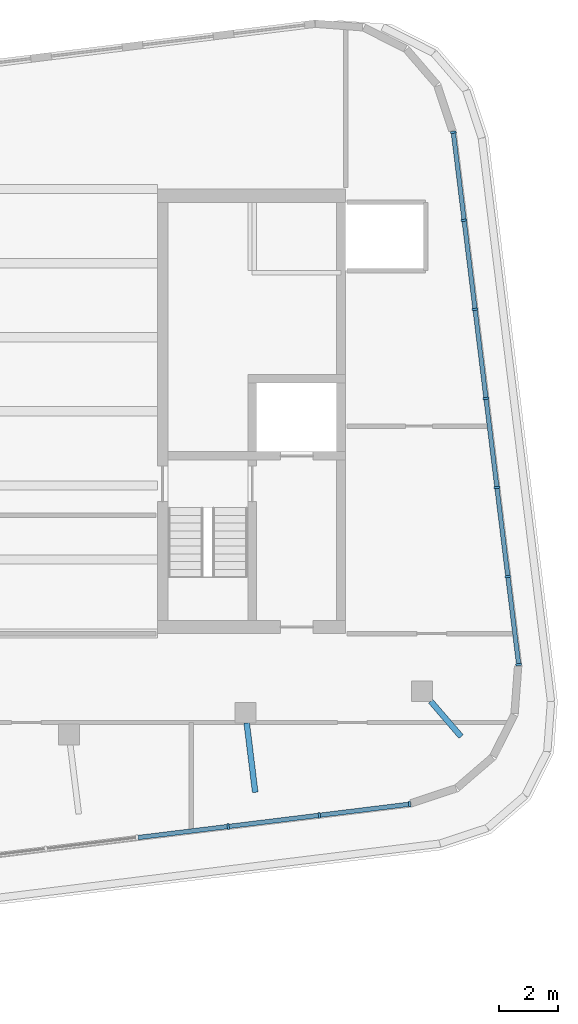
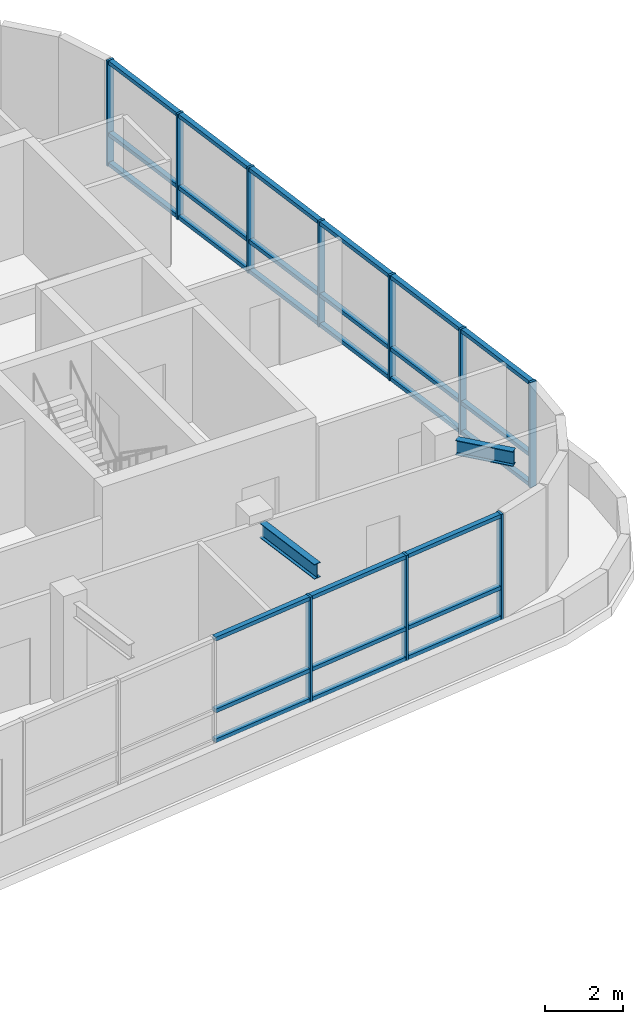
# One storey, part 3 of 8: 37 members, 2 beams, 2 elements without a shape of their own.
"""IFC4 building model written with IfcOpenShell, lengths in metres."""

from ifc_helpers import new_model, si_unit, direction, frame, origin, origin_2d, place, context, subcontext, project, spatial, rectangle, i_section, extrude, material, layer, layer_set, material_profile, profile_set, type_object, element, aggregate, save


model = new_model("IFC4")

# Units and contexts
model_context = context("Model", 3, precision=1e-05, world=origin(), true_north=direction((0.0, 1.0)))
body_context = subcontext(model_context, "Body", "Model", "MODEL_VIEW")
ifc_project = project(units=[si_unit("LENGTHUNIT", "METRE"), si_unit("AREAUNIT", "SQUARE_METRE"), si_unit("VOLUMEUNIT", "CUBIC_METRE"), si_unit("PLANEANGLEUNIT", "RADIAN"), si_unit("MASSUNIT", "GRAM", prefix="KILO")], contexts=[model_context])

# Site, building, storey
site_placement = place(None, origin())
site = spatial("IfcSite", under=ifc_project, at=site_placement, CompositionType="ELEMENT")
building_placement = place(site_placement, origin())
building = spatial("IfcBuilding", under=site, at=building_placement, Name="Torana Hotel and Residences", CompositionType="ELEMENT")
storey_placement = place(building_placement, frame((0.0, 0.0, 346.60009765625)))
storey = spatial("IfcBuildingStorey", under=building, at=storey_placement, Name="C1", CompositionType="ELEMENT", Elevation=346.60009765625)

# Beams
ifc_material_1 = material(Name="Steel S355", Category="steel")
ifc_material_profile_1 = material_profile(ifc_material_1, i_section(OverallWidth=0.19287109375, OverallDepth=0.46728515625, WebThickness=0.011474609375, FlangeThickness=0.01953125, FilletRadius=0.01025390625, at=origin_2d()), Name="457x191x98 UB")
ifc_profile_set_1 = profile_set([ifc_material_profile_1], Name="Steel S355")
beam_type = type_object("IfcBeamType", Name="BALCONY CANTILEVER BEAM 457x191x98 UB", PredefinedType="BEAM", material=ifc_profile_set_1)
beam_1_placement = place(storey_placement, frame((13.0126953125, -18.01318359375, 3.06640625), z_axis=(0.121844822117, -0.992549162169, 0.0), x_axis=(0.992549162169, 0.121844822117, 0.0)))
element("IfcBeam", 1, at=beam_1_placement, inside=storey, type_object=beam_type, Name="Balcony cantilever beam", PredefinedType="BEAM", context=body_context, shape_type="SweptSolid", body=[
    extrude(i_section(OverallWidth=0.19287109375, OverallDepth=0.46728515625, WebThickness=0.011474609375, FlangeThickness=0.01953125, FilletRadius=0.01025390625, at=origin_2d()), origin(), (0.0, 0.0, 1.0), 2.3603515625),
])
beam_2_placement = place(storey_placement, frame((19.22119140625, -17.284423828125, 3.06640625), z_axis=(0.652709025629, -0.757608690462, 0.0), x_axis=(0.757608690462, 0.652709025629, 0.0)))
element("IfcBeam", 2, at=beam_2_placement, inside=storey, type_object=beam_type, Name="Balcony cantilever beam", PredefinedType="BEAM", context=body_context, shape_type="SweptSolid", body=[
    extrude(i_section(OverallWidth=0.19287109375, OverallDepth=0.46728515625, WebThickness=0.011474609375, FlangeThickness=0.01953125, FilletRadius=0.01025390625, at=origin_2d()), origin(), (0.0, 0.0, 1.0), 1.571044921875),
])

# Curtain wall, members
ifc_material_2 = material(Name="Dark anodised aluminium", Category="aluminium")
ifc_layer = layer(ifc_material_2, 0.199951171875)
ifc_layer_set = layer_set([ifc_layer], Name="CW4 CROWN TERRACE GLAZING CURTAIN WALL")
curtain_wall_type = type_object("IfcCurtainWallType", Name="CW4 CROWN TERRACE GLAZING CURTAIN WALL", PredefinedType="NOTDEFINED", material=ifc_layer_set)
curtain_wall_1_placement = place(storey_placement, origin())
curtain_wall_1 = element("IfcCurtainWall", 3, at=curtain_wall_1_placement, inside=storey, type_object=curtain_wall_type, Name="Curtain wall CW4 C1 e0.14-2", PredefinedType="NOTDEFINED")
ifc_material_3 = material(Name="Dark anodised aluminium", Category="aluminium")
ifc_material_profile_2 = material_profile(ifc_material_3, rectangle(XDim=0.199951171875, YDim=0.070068359375, at=origin_2d()), Name="CW4 MULLION 70x200")
ifc_profile_set_2 = profile_set([ifc_material_profile_2], Name="Dark anodised aluminium")
member_type_1 = type_object("IfcMemberType", Name="CW4 MULLION 70x200", PredefinedType="MULLION", material=ifc_profile_set_2)
member_1_placement = place(storey_placement, frame((12.38818359375, -21.50830078125, 0.0), z_axis=(0.0, 0.0, 1.0), x_axis=(-0.121865323504, 0.992546645215, 0.0)))
member_1 = element("IfcMember", 4, at=member_1_placement, type_object=member_type_1, Name="CW4 mullion 4", PredefinedType="MULLION", context=body_context, shape_type="SweptSolid", body=[
    extrude(rectangle(XDim=0.199951171875, YDim=0.070068359375, at=origin_2d()), origin(), (0.0, 0.0, 1.0), 3.31982421875),
])
member_2_placement = place(storey_placement, frame((15.46533203125, -21.130615234375, 0.0), z_axis=(0.0, 0.0, 1.0), x_axis=(-0.121865323504, 0.992546645215, 0.0)))
member_2 = element("IfcMember", 5, at=member_2_placement, type_object=member_type_1, Name="CW4 mullion 5", PredefinedType="MULLION", context=body_context, shape_type="SweptSolid", body=[
    extrude(rectangle(XDim=0.199951171875, YDim=0.070068359375, at=origin_2d()), origin(), (0.0, 0.0, 1.0), 3.31982421875),
])
member_3_placement = place(storey_placement, frame((18.5078125, -20.757080078125, 0.0), z_axis=(0.0, 0.0, 1.0), x_axis=(-0.121865323504, 0.992546645215, 0.0)))
member_3 = element("IfcMember", 6, at=member_3_placement, type_object=member_type_1, Name="CW4 mullion 6", PredefinedType="MULLION", context=body_context, shape_type="SweptSolid", body=[
    extrude(rectangle(XDim=0.199951171875, YDim=0.070068359375, at=origin_2d()), origin(), (0.0, 0.0, 1.0), 3.31982421875),
])

curtain_wall_2_placement = place(storey_placement, origin())
curtain_wall_2 = element("IfcCurtainWall", 7, at=curtain_wall_2_placement, inside=storey, type_object=curtain_wall_type, Name="Curtain wall CW4 C1 e0.19", PredefinedType="NOTDEFINED")
member_4_placement = place(storey_placement, frame((22.189453125, -16.04443359375, 0.0), z_axis=(0.0, 0.0, 1.0), x_axis=(-0.992546270911, -0.121868372024, 0.0)))
member_4 = element("IfcMember", 8, at=member_4_placement, type_object=member_type_1, Name="CW4 mullion 1", PredefinedType="MULLION", context=body_context, shape_type="SweptSolid", body=[
    extrude(rectangle(XDim=0.199951171875, YDim=0.070068359375, at=origin_2d()), origin(), (0.0, 0.0, 1.0), 3.31982421875),
])
member_5_placement = place(storey_placement, frame((21.824951171875, -13.07421875, 0.0), z_axis=(0.0, 0.0, 1.0), x_axis=(-0.992546270911, -0.121868372024, 0.0)))
member_5 = element("IfcMember", 9, at=member_5_placement, type_object=member_type_1, Name="CW4 mullion 2", PredefinedType="MULLION", context=body_context, shape_type="SweptSolid", body=[
    extrude(rectangle(XDim=0.199951171875, YDim=0.070068359375, at=origin_2d()), origin(), (0.0, 0.0, 1.0), 3.31982421875),
])
member_6_placement = place(storey_placement, frame((21.455810546875, -10.069091796875, 0.0), z_axis=(0.0, 0.0, 1.0), x_axis=(-0.992546270911, -0.121868372024, 0.0)))
member_6 = element("IfcMember", 10, at=member_6_placement, type_object=member_type_1, Name="CW4 mullion 3", PredefinedType="MULLION", context=body_context, shape_type="SweptSolid", body=[
    extrude(rectangle(XDim=0.199951171875, YDim=0.070068359375, at=origin_2d()), origin(), (0.0, 0.0, 1.0), 3.31982421875),
])
member_7_placement = place(storey_placement, frame((21.0869140625, -7.064208984375, 0.0), z_axis=(0.0, 0.0, 1.0), x_axis=(-0.992546270911, -0.121868372024, 0.0)))
member_7 = element("IfcMember", 11, at=member_7_placement, type_object=member_type_1, Name="CW4 mullion 4", PredefinedType="MULLION", context=body_context, shape_type="SweptSolid", body=[
    extrude(rectangle(XDim=0.199951171875, YDim=0.070068359375, at=origin_2d()), origin(), (0.0, 0.0, 1.0), 3.31982421875),
])
member_8_placement = place(storey_placement, frame((20.718017578125, -4.05908203125, 0.0), z_axis=(0.0, 0.0, 1.0), x_axis=(-0.992546270911, -0.121868372024, 0.0)))
member_8 = element("IfcMember", 12, at=member_8_placement, type_object=member_type_1, Name="CW4 mullion 5", PredefinedType="MULLION", context=body_context, shape_type="SweptSolid", body=[
    extrude(rectangle(XDim=0.199951171875, YDim=0.070068359375, at=origin_2d()), origin(), (0.0, 0.0, 1.0), 3.31982421875),
])
member_9_placement = place(storey_placement, frame((20.348876953125, -1.05419921875, 0.0), z_axis=(0.0, 0.0, 1.0), x_axis=(-0.992546270911, -0.121868372024, 0.0)))
member_9 = element("IfcMember", 13, at=member_9_placement, type_object=member_type_1, Name="CW4 mullion 6", PredefinedType="MULLION", context=body_context, shape_type="SweptSolid", body=[
    extrude(rectangle(XDim=0.199951171875, YDim=0.070068359375, at=origin_2d()), origin(), (0.0, 0.0, 1.0), 3.31982421875),
])
member_10_placement = place(storey_placement, frame((19.984375, 1.916259765625, 0.0), z_axis=(0.0, 0.0, 1.0), x_axis=(-0.992546270911, -0.121868372024, 0.0)))
member_10 = element("IfcMember", 14, at=member_10_placement, type_object=member_type_1, Name="CW4 mullion 7", PredefinedType="MULLION", context=body_context, shape_type="SweptSolid", body=[
    extrude(rectangle(XDim=0.199951171875, YDim=0.070068359375, at=origin_2d()), origin(), (0.0, 0.0, 1.0), 3.31982421875),
])

# Member
ifc_material_4 = material(Name="Dark anodised aluminium", Category="aluminium")
ifc_material_profile_3 = material_profile(ifc_material_4, rectangle(XDim=0.14990234375, YDim=0.1201171875, at=origin_2d()), Name="CW4 TRANSOM 150x120")
ifc_profile_set_3 = profile_set([ifc_material_profile_3], Name="Dark anodised aluminium")
member_type_2 = type_object("IfcMemberType", Name="CW4 TRANSOM 150x120", PredefinedType="USERDEFINED", material=ifc_profile_set_3)
member_11_placement = place(storey_placement, frame((9.345703125, -21.8818359375, 0.059814453125), z_axis=(0.992553028088, 0.121813326174, 0.0), x_axis=(-0.121813326174, 0.992553028088, 0.0)))
member_11 = element("IfcMember", 15, at=member_11_placement, type_object=member_type_2, Name="CW4 transom 3.1", ObjectType="TRANSOM", PredefinedType="USERDEFINED", context=body_context, shape_type="SweptSolid", body=[
    extrude(rectangle(XDim=0.14990234375, YDim=0.1201171875, at=origin_2d()), origin(), (0.0, 0.0, 1.0), 3.0302734375),
])

member_12_placement = place(storey_placement, frame((9.345703125, -21.8818359375, 1.0), z_axis=(0.992553028088, 0.121813326174, 0.0), x_axis=(-0.121813326174, 0.992553028088, 0.0)))
member_12 = element("IfcMember", 16, at=member_12_placement, type_object=member_type_2, Name="CW4 transom 3.2", ObjectType="TRANSOM", PredefinedType="USERDEFINED", context=body_context, shape_type="SweptSolid", body=[
    extrude(rectangle(XDim=0.14990234375, YDim=0.1201171875, at=origin_2d()), origin(), (0.0, 0.0, 1.0), 3.0302734375),
])

member_13_placement = place(storey_placement, frame((9.345703125, -21.8818359375, 3.260009765625), z_axis=(0.992553028088, 0.121813326174, 0.0), x_axis=(-0.121813326174, 0.992553028088, 0.0)))
member_13 = element("IfcMember", 17, at=member_13_placement, type_object=member_type_2, Name="CW4 transom 3.3", ObjectType="TRANSOM", PredefinedType="USERDEFINED", context=body_context, shape_type="SweptSolid", body=[
    extrude(rectangle(XDim=0.14990234375, YDim=0.1201171875, at=origin_2d()), origin(), (0.0, 0.0, 1.0), 3.0302734375),
])

member_14_placement = place(storey_placement, frame((12.4228515625, -21.504150390625, 0.059814453125), z_axis=(0.99254328428, 0.121892693922, 0.0), x_axis=(-0.121892693922, 0.99254328428, 0.0)))
member_14 = element("IfcMember", 18, at=member_14_placement, type_object=member_type_2, Name="CW4 transom 4.1", ObjectType="TRANSOM", PredefinedType="USERDEFINED", context=body_context, shape_type="SweptSolid", body=[
    extrude(rectangle(XDim=0.14990234375, YDim=0.1201171875, at=origin_2d()), origin(), (0.0, 0.0, 1.0), 3.030517578125),
])

member_15_placement = place(storey_placement, frame((12.4228515625, -21.504150390625, 1.0), z_axis=(0.99254328428, 0.121892693922, 0.0), x_axis=(-0.121892693922, 0.99254328428, 0.0)))
member_15 = element("IfcMember", 19, at=member_15_placement, type_object=member_type_2, Name="CW4 transom 4.2", ObjectType="TRANSOM", PredefinedType="USERDEFINED", context=body_context, shape_type="SweptSolid", body=[
    extrude(rectangle(XDim=0.14990234375, YDim=0.1201171875, at=origin_2d()), origin(), (0.0, 0.0, 1.0), 3.030517578125),
])

member_16_placement = place(storey_placement, frame((12.4228515625, -21.504150390625, 3.260009765625), z_axis=(0.99254328428, 0.121892693922, 0.0), x_axis=(-0.121892693922, 0.99254328428, 0.0)))
member_16 = element("IfcMember", 20, at=member_16_placement, type_object=member_type_2, Name="CW4 transom 4.3", ObjectType="TRANSOM", PredefinedType="USERDEFINED", context=body_context, shape_type="SweptSolid", body=[
    extrude(rectangle(XDim=0.14990234375, YDim=0.1201171875, at=origin_2d()), origin(), (0.0, 0.0, 1.0), 3.030517578125),
])

member_17_placement = place(storey_placement, frame((15.500244140625, -21.126220703125, 0.059814453125), z_axis=(0.992547606819, 0.121857491352, 0.0), x_axis=(-0.121857491352, 0.992547606819, 0.0)))
member_17 = element("IfcMember", 21, at=member_17_placement, type_object=member_type_2, Name="CW4 transom 5.1", ObjectType="TRANSOM", PredefinedType="USERDEFINED", context=body_context, shape_type="SweptSolid", body=[
    extrude(rectangle(XDim=0.14990234375, YDim=0.1201171875, at=origin_2d()), origin(), (0.0, 0.0, 1.0), 2.9951171875),
])

member_18_placement = place(storey_placement, frame((15.500244140625, -21.126220703125, 1.0), z_axis=(0.992547606819, 0.121857491352, 0.0), x_axis=(-0.121857491352, 0.992547606819, 0.0)))
member_18 = element("IfcMember", 22, at=member_18_placement, type_object=member_type_2, Name="CW4 transom 5.2", ObjectType="TRANSOM", PredefinedType="USERDEFINED", context=body_context, shape_type="SweptSolid", body=[
    extrude(rectangle(XDim=0.14990234375, YDim=0.1201171875, at=origin_2d()), origin(), (0.0, 0.0, 1.0), 2.9951171875),
])

member_19_placement = place(storey_placement, frame((15.500244140625, -21.126220703125, 3.260009765625), z_axis=(0.992547606819, 0.121857491352, 0.0), x_axis=(-0.121857491352, 0.992547606819, 0.0)))
member_19 = element("IfcMember", 23, at=member_19_placement, type_object=member_type_2, Name="CW4 transom 5.3", ObjectType="TRANSOM", PredefinedType="USERDEFINED", context=body_context, shape_type="SweptSolid", body=[
    extrude(rectangle(XDim=0.14990234375, YDim=0.1201171875, at=origin_2d()), origin(), (0.0, 0.0, 1.0), 2.9951171875),
])

aggregate(curtain_wall_1, [member_1, member_2, member_3, member_11, member_12, member_13, member_14, member_15, member_16, member_17, member_18, member_19])

member_20_placement = place(storey_placement, frame((22.185302734375, -16.009765625, 0.059814453125), z_axis=(-0.121875420514, 0.992545405447, 0.0), x_axis=(-0.992545405447, -0.121875420514, 0.0)))
member_20 = element("IfcMember", 24, at=member_20_placement, type_object=member_type_2, Name="CW4 transom 1.1", ObjectType="TRANSOM", PredefinedType="USERDEFINED", context=body_context, shape_type="SweptSolid", body=[
    extrude(rectangle(XDim=0.14990234375, YDim=0.1201171875, at=origin_2d()), origin(), (0.0, 0.0, 1.0), 2.922607421875),
])

member_21_placement = place(storey_placement, frame((22.185302734375, -16.009765625, 1.0), z_axis=(-0.121875420514, 0.992545405447, 0.0), x_axis=(-0.992545405447, -0.121875420514, 0.0)))
member_21 = element("IfcMember", 25, at=member_21_placement, type_object=member_type_2, Name="CW4 transom 1.2", ObjectType="TRANSOM", PredefinedType="USERDEFINED", context=body_context, shape_type="SweptSolid", body=[
    extrude(rectangle(XDim=0.14990234375, YDim=0.1201171875, at=origin_2d()), origin(), (0.0, 0.0, 1.0), 2.922607421875),
])

member_22_placement = place(storey_placement, frame((22.185302734375, -16.009765625, 3.260009765625), z_axis=(-0.121875420514, 0.992545405447, 0.0), x_axis=(-0.992545405447, -0.121875420514, 0.0)))
member_22 = element("IfcMember", 26, at=member_22_placement, type_object=member_type_2, Name="CW4 transom 1.3", ObjectType="TRANSOM", PredefinedType="USERDEFINED", context=body_context, shape_type="SweptSolid", body=[
    extrude(rectangle(XDim=0.14990234375, YDim=0.1201171875, at=origin_2d()), origin(), (0.0, 0.0, 1.0), 2.922607421875),
])

member_23_placement = place(storey_placement, frame((21.820556640625, -13.03955078125, 0.059814453125), z_axis=(-0.121839940769, 0.992549761389, 0.0), x_axis=(-0.992549761389, -0.121839940769, 0.0)))
member_23 = element("IfcMember", 27, at=member_23_placement, type_object=member_type_2, Name="CW4 transom 2.1", ObjectType="TRANSOM", PredefinedType="USERDEFINED", context=body_context, shape_type="SweptSolid", body=[
    extrude(rectangle(XDim=0.14990234375, YDim=0.1201171875, at=origin_2d()), origin(), (0.0, 0.0, 1.0), 2.95751953125),
])

member_24_placement = place(storey_placement, frame((21.820556640625, -13.03955078125, 1.0), z_axis=(-0.121839940769, 0.992549761389, 0.0), x_axis=(-0.992549761389, -0.121839940769, 0.0)))
member_24 = element("IfcMember", 28, at=member_24_placement, type_object=member_type_2, Name="CW4 transom 2.2", ObjectType="TRANSOM", PredefinedType="USERDEFINED", context=body_context, shape_type="SweptSolid", body=[
    extrude(rectangle(XDim=0.14990234375, YDim=0.1201171875, at=origin_2d()), origin(), (0.0, 0.0, 1.0), 2.95751953125),
])

member_25_placement = place(storey_placement, frame((21.820556640625, -13.03955078125, 3.260009765625), z_axis=(-0.121839940769, 0.992549761389, 0.0), x_axis=(-0.992549761389, -0.121839940769, 0.0)))
member_25 = element("IfcMember", 29, at=member_25_placement, type_object=member_type_2, Name="CW4 transom 2.3", ObjectType="TRANSOM", PredefinedType="USERDEFINED", context=body_context, shape_type="SweptSolid", body=[
    extrude(rectangle(XDim=0.14990234375, YDim=0.1201171875, at=origin_2d()), origin(), (0.0, 0.0, 1.0), 2.95751953125),
])

member_26_placement = place(storey_placement, frame((21.45166015625, -10.034423828125, 0.059814453125), z_axis=(-0.121921261514, 0.992539775521, 0.0), x_axis=(-0.992539775521, -0.121921261514, 0.0)))
member_26 = element("IfcMember", 30, at=member_26_placement, type_object=member_type_2, Name="CW4 transom 3.1", ObjectType="TRANSOM", PredefinedType="USERDEFINED", context=body_context, shape_type="SweptSolid", body=[
    extrude(rectangle(XDim=0.14990234375, YDim=0.1201171875, at=origin_2d()), origin(), (0.0, 0.0, 1.0), 2.95751953125),
])

member_27_placement = place(storey_placement, frame((21.45166015625, -10.034423828125, 1.0), z_axis=(-0.121921261514, 0.992539775521, 0.0), x_axis=(-0.992539775521, -0.121921261514, 0.0)))
member_27 = element("IfcMember", 31, at=member_27_placement, type_object=member_type_2, Name="CW4 transom 3.2", ObjectType="TRANSOM", PredefinedType="USERDEFINED", context=body_context, shape_type="SweptSolid", body=[
    extrude(rectangle(XDim=0.14990234375, YDim=0.1201171875, at=origin_2d()), origin(), (0.0, 0.0, 1.0), 2.95751953125),
])

member_28_placement = place(storey_placement, frame((21.45166015625, -10.034423828125, 3.260009765625), z_axis=(-0.121921261514, 0.992539775521, 0.0), x_axis=(-0.992539775521, -0.121921261514, 0.0)))
member_28 = element("IfcMember", 32, at=member_28_placement, type_object=member_type_2, Name="CW4 transom 3.3", ObjectType="TRANSOM", PredefinedType="USERDEFINED", context=body_context, shape_type="SweptSolid", body=[
    extrude(rectangle(XDim=0.14990234375, YDim=0.1201171875, at=origin_2d()), origin(), (0.0, 0.0, 1.0), 2.95751953125),
])

member_29_placement = place(storey_placement, frame((21.08251953125, -7.029296875, 0.059814453125), z_axis=(-0.121849924218, 0.992548535825, 0.0), x_axis=(-0.992548535825, -0.121849924218, 0.0)))
member_29 = element("IfcMember", 33, at=member_29_placement, type_object=member_type_2, Name="CW4 transom 4.1", ObjectType="TRANSOM", PredefinedType="USERDEFINED", context=body_context, shape_type="SweptSolid", body=[
    extrude(rectangle(XDim=0.14990234375, YDim=0.1201171875, at=origin_2d()), origin(), (0.0, 0.0, 1.0), 2.957275390625),
])

member_30_placement = place(storey_placement, frame((21.08251953125, -7.029296875, 1.0), z_axis=(-0.121849924218, 0.992548535825, 0.0), x_axis=(-0.992548535825, -0.121849924218, 0.0)))
member_30 = element("IfcMember", 34, at=member_30_placement, type_object=member_type_2, Name="CW4 transom 4.2", ObjectType="TRANSOM", PredefinedType="USERDEFINED", context=body_context, shape_type="SweptSolid", body=[
    extrude(rectangle(XDim=0.14990234375, YDim=0.1201171875, at=origin_2d()), origin(), (0.0, 0.0, 1.0), 2.957275390625),
])

member_31_placement = place(storey_placement, frame((21.08251953125, -7.029296875, 3.260009765625), z_axis=(-0.121849924218, 0.992548535825, 0.0), x_axis=(-0.992548535825, -0.121849924218, 0.0)))
member_31 = element("IfcMember", 35, at=member_31_placement, type_object=member_type_2, Name="CW4 transom 4.3", ObjectType="TRANSOM", PredefinedType="USERDEFINED", context=body_context, shape_type="SweptSolid", body=[
    extrude(rectangle(XDim=0.14990234375, YDim=0.1201171875, at=origin_2d()), origin(), (0.0, 0.0, 1.0), 2.957275390625),
])

member_32_placement = place(storey_placement, frame((20.713623046875, -4.0244140625, 0.059814453125), z_axis=(-0.121839940769, 0.992549761389, 0.0), x_axis=(-0.992549761389, -0.121839940769, 0.0)))
member_32 = element("IfcMember", 36, at=member_32_placement, type_object=member_type_2, Name="CW4 transom 5.1", ObjectType="TRANSOM", PredefinedType="USERDEFINED", context=body_context, shape_type="SweptSolid", body=[
    extrude(rectangle(XDim=0.14990234375, YDim=0.1201171875, at=origin_2d()), origin(), (0.0, 0.0, 1.0), 2.95751953125),
])

member_33_placement = place(storey_placement, frame((20.713623046875, -4.0244140625, 1.0), z_axis=(-0.121839940769, 0.992549761389, 0.0), x_axis=(-0.992549761389, -0.121839940769, 0.0)))
member_33 = element("IfcMember", 37, at=member_33_placement, type_object=member_type_2, Name="CW4 transom 5.2", ObjectType="TRANSOM", PredefinedType="USERDEFINED", context=body_context, shape_type="SweptSolid", body=[
    extrude(rectangle(XDim=0.14990234375, YDim=0.1201171875, at=origin_2d()), origin(), (0.0, 0.0, 1.0), 2.95751953125),
])

member_34_placement = place(storey_placement, frame((20.713623046875, -4.0244140625, 3.260009765625), z_axis=(-0.121839940769, 0.992549761389, 0.0), x_axis=(-0.992549761389, -0.121839940769, 0.0)))
member_34 = element("IfcMember", 38, at=member_34_placement, type_object=member_type_2, Name="CW4 transom 5.3", ObjectType="TRANSOM", PredefinedType="USERDEFINED", context=body_context, shape_type="SweptSolid", body=[
    extrude(rectangle(XDim=0.14990234375, YDim=0.1201171875, at=origin_2d()), origin(), (0.0, 0.0, 1.0), 2.95751953125),
])

member_35_placement = place(storey_placement, frame((20.3447265625, -1.019287109375, 0.059814453125), z_axis=(-0.121885526137, 0.992544164518, 0.0), x_axis=(-0.992544164518, -0.121885526137, 0.0)))
member_35 = element("IfcMember", 39, at=member_35_placement, type_object=member_type_2, Name="CW4 transom 6.1", ObjectType="TRANSOM", PredefinedType="USERDEFINED", context=body_context, shape_type="SweptSolid", body=[
    extrude(rectangle(XDim=0.14990234375, YDim=0.1201171875, at=origin_2d()), origin(), (0.0, 0.0, 1.0), 2.92236328125),
])

member_36_placement = place(storey_placement, frame((20.3447265625, -1.019287109375, 1.0), z_axis=(-0.121885526137, 0.992544164518, 0.0), x_axis=(-0.992544164518, -0.121885526137, 0.0)))
member_36 = element("IfcMember", 40, at=member_36_placement, type_object=member_type_2, Name="CW4 transom 6.2", ObjectType="TRANSOM", PredefinedType="USERDEFINED", context=body_context, shape_type="SweptSolid", body=[
    extrude(rectangle(XDim=0.14990234375, YDim=0.1201171875, at=origin_2d()), origin(), (0.0, 0.0, 1.0), 2.92236328125),
])

member_37_placement = place(storey_placement, frame((20.3447265625, -1.019287109375, 3.260009765625), z_axis=(-0.121885526137, 0.992544164518, 0.0), x_axis=(-0.992544164518, -0.121885526137, 0.0)))
member_37 = element("IfcMember", 41, at=member_37_placement, type_object=member_type_2, Name="CW4 transom 6.3", ObjectType="TRANSOM", PredefinedType="USERDEFINED", context=body_context, shape_type="SweptSolid", body=[
    extrude(rectangle(XDim=0.14990234375, YDim=0.1201171875, at=origin_2d()), origin(), (0.0, 0.0, 1.0), 2.92236328125),
])

aggregate(curtain_wall_2, [member_4, member_5, member_6, member_7, member_8, member_9, member_10, member_20, member_21, member_22, member_23, member_24, member_25, member_26, member_27, member_28, member_29, member_30, member_31, member_32, member_33, member_34, member_35, member_36, member_37])

save(model, "model.ifc")
